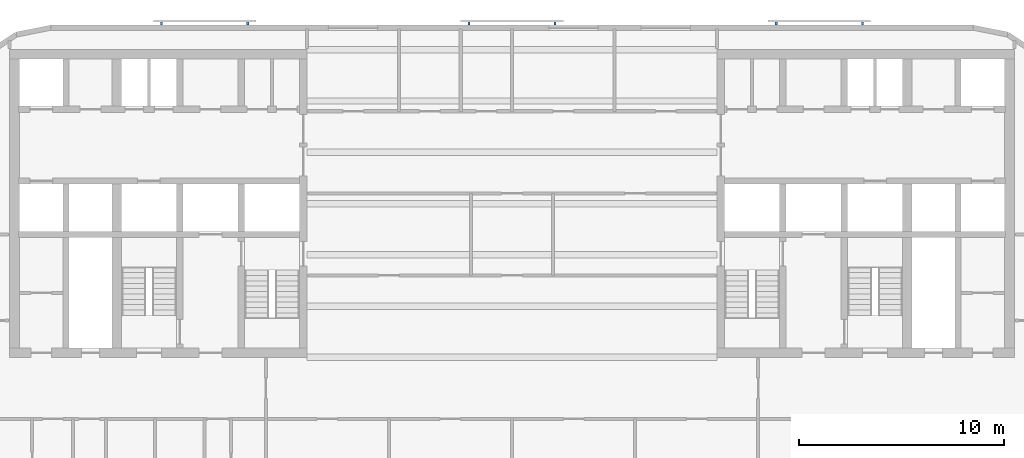
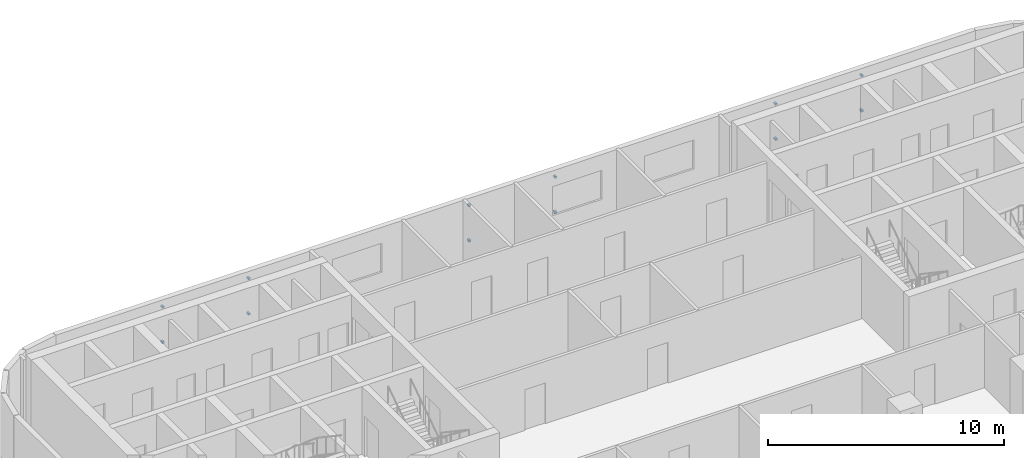
# One storey, part 9 of 12: 12 discrete accessories.
"""IFC4 building model written with IfcOpenShell, lengths in metres."""

from ifc_helpers import new_model, si_unit, direction, frame, origin, origin_2d, place, context, subcontext, project, spatial, rectangle, extrude, material, type_object, element, save


model = new_model("IFC4")

# Units and contexts
model_context = context("Model", 3, precision=1e-05, world=origin(), true_north=direction((0.0, 1.0)))
body_context = subcontext(model_context, "Body", "Model", "MODEL_VIEW")
ifc_project = project(units=[si_unit("LENGTHUNIT", "METRE"), si_unit("AREAUNIT", "SQUARE_METRE"), si_unit("VOLUMEUNIT", "CUBIC_METRE"), si_unit("PLANEANGLEUNIT", "RADIAN"), si_unit("MASSUNIT", "GRAM", prefix="KILO")], contexts=[model_context])

# Site, building, storey
site_placement = place(None, origin())
site = spatial("IfcSite", under=ifc_project, at=site_placement, CompositionType="ELEMENT")
building_placement = place(site_placement, origin())
building = spatial("IfcBuilding", under=site, at=building_placement, Name="Torana Hotel and Residences", CompositionType="ELEMENT")
storey_placement = place(building_placement, frame((0.0, 0.0, 197.60009765625)))
storey = spatial("IfcBuildingStorey", under=building, at=storey_placement, Name="L51", CompositionType="ELEMENT", Elevation=197.60009765625)

# Discrete accessories
ifc_material = material(Name="Steel S355", Category="steel")
discrete_accessory_type = type_object("IfcDiscreteAccessoryType", Name="SCREEN BRACKET 100", PredefinedType="BRACKET", material=ifc_material)
for number, where, z_axis, x_axis, name in (
    (1, (17.08349609375, 1.27490234375, 0.749755859375), (0.0, 0.0, 1.0), (-1.0, 0.0, 0.0), "Screen bracket L51"),
    (2, (17.08349609375, 1.27490234375, 2.56982421875), (0.0, 0.0, 1.0), (-1.0, 0.0, 0.0), "Screen bracket L51"),
    (3, (12.883544921875, 1.27490234375, 0.749755859375), (0.0, 0.0, 1.0), (-1.0, 0.0, 0.0), "Screen bracket L51"),
    (4, (12.883544921875, 1.27490234375, 2.56982421875), (0.0, 0.0, 1.0), (-1.0, 0.0, 0.0), "Screen bracket L51"),
    (5, (2.10009765625, 1.27490234375, 0.749755859375), (0.0, 0.0, 1.0), (-1.0, 0.0, 0.0), "Screen bracket L51"),
    (6, (2.10009765625, 1.27490234375, 2.56982421875), (0.0, 0.0, 1.0), (-1.0, 0.0, 0.0), "Screen bracket L51"),
    (7, (-2.10009765625, 1.27490234375, 0.749755859375), (0.0, 0.0, 1.0), (-1.0, 0.0, 0.0), "Screen bracket L51"),
    (8, (-2.10009765625, 1.27490234375, 2.56982421875), (0.0, 0.0, 1.0), (-1.0, 0.0, 0.0), "Screen bracket L51"),
    (9, (-12.883544921875, 1.27490234375, 0.749755859375), (0.0, 0.0, 1.0), (-1.0, 0.0, 0.0), "Screen bracket L51"),
    (10, (-12.883544921875, 1.27490234375, 2.56982421875), (0.0, 0.0, 1.0), (-1.0, 0.0, 0.0), "Screen bracket L51"),
    (11, (-17.08349609375, 1.27490234375, 0.749755859375), (0.0, 0.0, 1.0), (-1.0, 0.0, 0.0), "Screen bracket L51"),
    (12, (-17.08349609375, 1.27490234375, 2.56982421875), (0.0, 0.0, 1.0), (-1.0, 0.0, 0.0), "Screen bracket L51"),
):
    element("IfcDiscreteAccessory", number, at=place(storey_placement, frame(where, z_axis=z_axis, x_axis=x_axis)), inside=storey, type_object=discrete_accessory_type, Name=name, PredefinedType="BRACKET", context=body_context, shape_type="SweptSolid", body=[
        extrude(rectangle(XDim=0.10009765625, YDim=0.14990234375, at=origin_2d()), origin(), (0.0, 0.0, 1.0), 0.10009765625),
    ])

save(model, "model.ifc")
